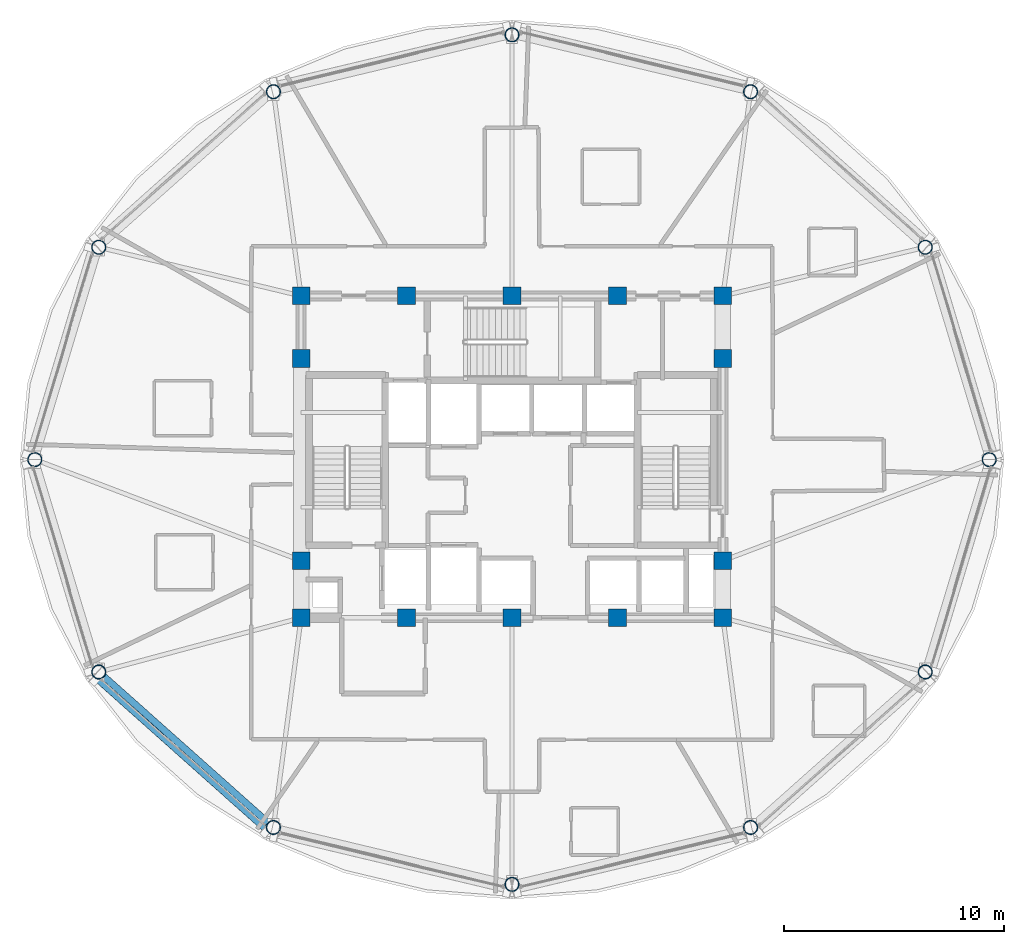
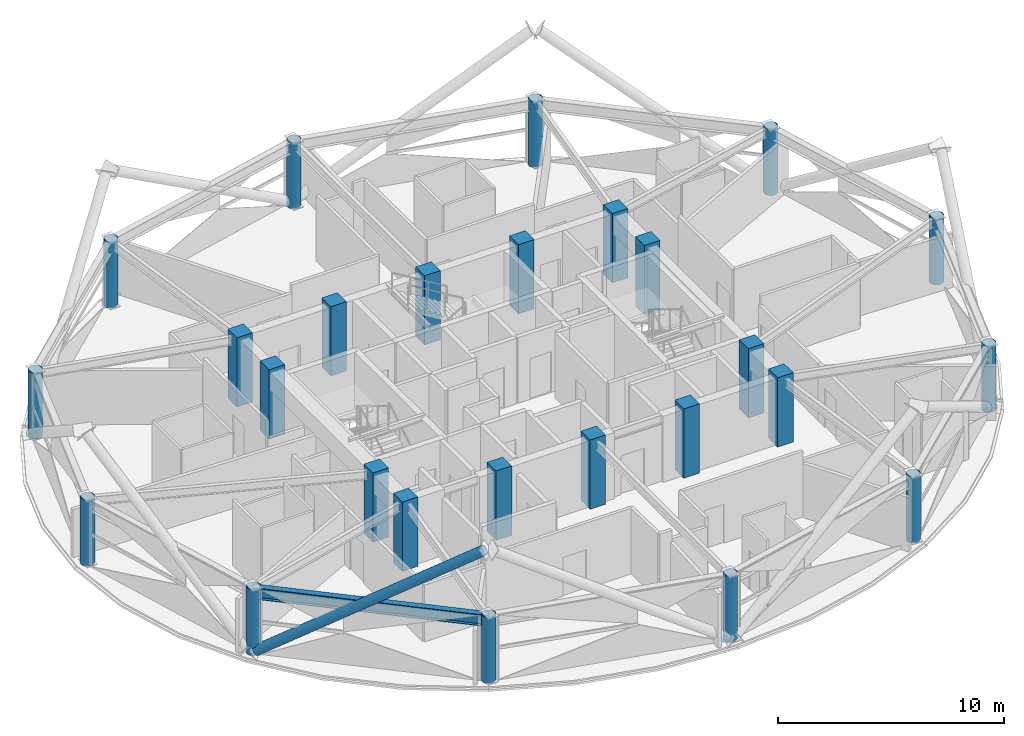
# One storey, part 1 of 29: 26 columns, 1 beam, 1 member.
"""IFC4 building model written with IfcOpenShell, lengths in metres."""

import ifcopenshell
import ifcopenshell.guid

model = None  # the IFC model being written
_history = None  # IfcOwnerHistory: only IFC2X3 demands one
_inside = {}  # id of a spatial element -> (the spatial element, [elements in it])
_under = {}  # id of a project, library or spatial element -> (it, [spatial elements below it])
_declared = {}  # id of a project -> (the project, [libraries it declares])
_typed = {}  # id of a type object -> (the type object, [elements of that type])
_made_of = {}  # id of a material, layer set ... -> (it, [elements and type objects made of it])


def new_model(schema):
    """Start an empty IFC model of exactly this schema.

    Asked for "IFC4X3", IfcOpenShell would pick the latest addendum, in which some entities
    have other attributes; the version numbers below select the first issue.
    IFC2X3 requires an IfcOwnerHistory on every rooted entity: one is made here for all.
    """
    global model, _history
    if schema == "IFC4X3":
        model = ifcopenshell.file(schema_version=(4, 3, 0, 0))
    else:
        model = ifcopenshell.file(schema=schema)
    _inside.clear()
    _under.clear()
    _declared.clear()
    _typed.clear()
    _made_of.clear()
    _history = None
    if model.schema == "IFC2X3":
        org = make("IfcOrganization", Name="unknown")
        user = make(
            "IfcPersonAndOrganization",
            ThePerson=make("IfcPerson", FamilyName="unknown"),
            TheOrganization=org,
        )
        app = make(
            "IfcApplication",
            ApplicationDeveloper=org,
            Version="unknown",
            ApplicationFullName="unknown",
            ApplicationIdentifier="unknown",
        )
        _history = make(
            "IfcOwnerHistory",
            OwningUser=user,
            OwningApplication=app,
            ChangeAction="ADDED",
            CreationDate=0,
        )
    return model


def make(cls, **values):
    """One entity of the class cls with the attributes given. An attribute that is None is left unset."""
    return model.create_entity(
        cls, **{name: value for name, value in values.items() if value is not None}
    )


def rooted(cls, **values):
    """An entity with a GlobalId (a new one), such as an element, a storey or a relation."""
    return make(cls, GlobalId=ifcopenshell.guid.new(), OwnerHistory=_history, **values)


def si_unit(unit_type, name, prefix=None):
    """IfcSIUnit, for example si_unit("LENGTHUNIT", "METRE", prefix="MILLI")."""
    return make("IfcSIUnit", UnitType=unit_type, Prefix=prefix, Name=name)


def assignment(units):
    """IfcUnitAssignment: the units of a project."""
    return None if units is None else make("IfcUnitAssignment", Units=units)


def point(xyz):
    """IfcCartesianPoint."""
    return None if xyz is None else make("IfcCartesianPoint", Coordinates=xyz)


def direction(xyz):
    """IfcDirection."""
    return None if xyz is None else make("IfcDirection", DirectionRatios=xyz)


def frame(location, z_axis=None, x_axis=None):
    """IfcAxis2Placement3D, a coordinate frame: its origin and axes. An axis left out is left unset."""
    return make(
        "IfcAxis2Placement3D",
        Location=point(location),
        Axis=direction(z_axis),
        RefDirection=direction(x_axis),
    )


def frame_2d(location, x_axis=None):
    """IfcAxis2Placement2D, a coordinate frame in the plane: its origin and x axis."""
    return make(
        "IfcAxis2Placement2D", Location=point(location), RefDirection=direction(x_axis)
    )


def origin():
    """The frame at (0, 0, 0) with its axes left unset."""
    return frame((0.0, 0.0, 0.0))


def origin_2d():
    """The frame at (0, 0) in the plane with its x axis left unset."""
    return frame_2d((0.0, 0.0))


def place(relative_to, where):
    """IfcLocalPlacement: puts the frame where relative to a parent placement (None: the world)."""
    return make(
        "IfcLocalPlacement", PlacementRelTo=relative_to, RelativePlacement=where
    )


def context(
    kind, dimensions, precision=None, world=None, true_north=None, identifier=None
):
    """IfcGeometricRepresentationContext, for example the 3D "Model" context."""
    return make(
        "IfcGeometricRepresentationContext",
        ContextIdentifier=identifier,
        ContextType=kind,
        CoordinateSpaceDimension=dimensions,
        Precision=precision,
        WorldCoordinateSystem=world,
        TrueNorth=true_north,
    )


def subcontext(parent, identifier, kind, view, scale=None):
    """IfcGeometricRepresentationSubContext, for example "Body" below "Model"."""
    return make(
        "IfcGeometricRepresentationSubContext",
        ContextIdentifier=identifier,
        ContextType=kind,
        ParentContext=parent,
        TargetScale=scale,
        TargetView=view,
    )


def project(units=None, contexts=None):
    """IfcProject with its units and contexts."""
    return rooted(
        "IfcProject",
        Name="project",
        RepresentationContexts=contexts,
        UnitsInContext=assignment(units),
    )


def spatial(cls, under=None, at=None, **own):
    """A site, building, storey or space (cls), placed at a placement, below another one or the project."""
    s = rooted(cls, ObjectPlacement=at, **own)
    if under is not None:
        _under.setdefault(under.id(), (under, []))[1].append(s)
    return s


def profile(cls, at=None, kind="AREA", **sizes):
    """A parametric profile (cls). Its sizes go by their IFC names, for example OverallWidth=200.0."""
    return make(cls, ProfileType=kind, Position=at, **sizes)


def rectangle(**sizes):
    """IfcRectangleProfileDef."""
    return profile("IfcRectangleProfileDef", **sizes)


def hollow_circle(**sizes):
    """IfcCircleHollowProfileDef."""
    return profile("IfcCircleHollowProfileDef", **sizes)


def i_section(**sizes):
    """IfcIShapeProfileDef."""
    return profile("IfcIShapeProfileDef", **sizes)


def extrude(swept, where, along, depth):
    """IfcExtrudedAreaSolid: the profile swept, set in the frame where, extruded along a direction by depth."""
    return make(
        "IfcExtrudedAreaSolid",
        SweptArea=swept,
        Position=where,
        ExtrudedDirection=direction(along),
        Depth=depth,
    )


def shape(context_of_items, identifier, shape_type, items):
    """IfcShapeRepresentation: the items that make up one representation, for example the "Body"."""
    return make(
        "IfcShapeRepresentation",
        ContextOfItems=context_of_items,
        RepresentationIdentifier=identifier,
        RepresentationType=shape_type,
        Items=items,
    )


def material(Name=None, Category=None):
    """IfcMaterial."""
    return make("IfcMaterial", Name=Name, Category=Category)


def material_profile(
    of_material, cross_section, Name=None, Category=None, Priority=None
):
    """IfcMaterialProfile: a cross section and its material."""
    return make(
        "IfcMaterialProfile",
        Name=Name,
        Material=of_material,
        Profile=cross_section,
        Priority=Priority,
        Category=Category,
    )


def profile_set(profiles, Name=None, composite=None):
    """IfcMaterialProfileSet."""
    return make(
        "IfcMaterialProfileSet",
        Name=Name,
        MaterialProfiles=profiles,
        CompositeProfile=composite,
    )


def made_of(thing, what):
    """Note that an element or type object is made of a material, layer set ...; save() writes the relation."""
    if what is not None:
        _made_of.setdefault(what.id(), (what, []))[1].append(thing)
    return thing


def type_object(cls, material=None, **own):
    """A type object (cls), such as IfcWallType, which elements share."""
    return made_of(rooted(cls, **own), material)


def element(
    cls,
    number,
    at=None,
    inside=None,
    cuts=None,
    type_object=None,
    material=None,
    context=None,
    identifier="Body",
    shape_type=None,
    held_by="IfcProductDefinitionShape",
    body=None,
    shapes=None,
    **own,
):
    """One element of the class cls, such as IfcWall. Its Tag is "e" and its number.

    at: its placement. inside: the storey or other place that contains it. cuts: it is an
    opening in that element (IfcRelVoidsElement). A single representation is given by context,
    identifier, shape_type and body (its items); several are given by shapes. held_by: the class
    of the entity that holds the representations. save() writes the other relations.
    """
    e = rooted(cls, Tag="e%d" % number, ObjectPlacement=at, **own)
    if body is not None:
        shapes = [shape(context, identifier, shape_type, body)]
    if shapes is not None:
        e.Representation = make(held_by, Representations=shapes)
    if inside is not None:
        _inside.setdefault(inside.id(), (inside, []))[1].append(e)
    if cuts is not None:
        rooted(
            "IfcRelVoidsElement", RelatingBuildingElement=cuts, RelatedOpeningElement=e
        )
    if type_object is not None:
        _typed.setdefault(type_object.id(), (type_object, []))[1].append(e)
    return made_of(e, material)


def aggregate(whole, parts):
    """IfcRelAggregates: a whole, such as a stair, and the parts it consists of."""
    return rooted("IfcRelAggregates", RelatingObject=whole, RelatedObjects=parts)


def save(model, path):
    """Write the relations noted so far, then the file.

    IfcRelAggregates (storeys below a building ...), IfcRelContainedInSpatialStructure (elements
    in a storey), IfcRelDefinesByType, IfcRelAssociatesMaterial and IfcRelDeclares: one each for
    every whole, place, type object, material and project.
    """
    for whole, parts in _under.values():
        aggregate(whole, parts)
    for where, things in _inside.values():
        rooted(
            "IfcRelContainedInSpatialStructure",
            RelatedElements=things,
            RelatingStructure=where,
        )
    for kind, things in _typed.values():
        rooted("IfcRelDefinesByType", RelatedObjects=things, RelatingType=kind)
    for what, things in _made_of.values():
        rooted("IfcRelAssociatesMaterial", RelatedObjects=things, RelatingMaterial=what)
    for by, libraries in _declared.values():
        rooted("IfcRelDeclares", RelatingContext=by, RelatedDefinitions=libraries)
    model.write(path)


model = new_model("IFC4")

# Units and contexts
model_context = context("Model", 3, precision=1e-05, world=origin(), true_north=direction((0.0, 1.0)))
body_context = subcontext(model_context, "Body", "Model", "MODEL_VIEW")
ifc_project = project(units=[si_unit("LENGTHUNIT", "METRE"), si_unit("AREAUNIT", "SQUARE_METRE"), si_unit("VOLUMEUNIT", "CUBIC_METRE"), si_unit("PLANEANGLEUNIT", "RADIAN"), si_unit("MASSUNIT", "GRAM", prefix="KILO")], contexts=[model_context])

# Site, building, storey
site_placement = place(None, origin())
site = spatial("IfcSite", under=ifc_project, at=site_placement, CompositionType="ELEMENT")
building_placement = place(site_placement, origin())
building = spatial("IfcBuilding", under=site, at=building_placement, Name="Vantalir Tower", CompositionType="ELEMENT")
storey_placement = place(building_placement, frame((0.0, 0.0, 234.89990234375)))
storey = spatial("IfcBuildingStorey", under=building, at=storey_placement, Name="L59", CompositionType="ELEMENT", Elevation=234.89990234375)

# Columns
ifc_material_1 = material(Name="Concrete C50/60", Category="concrete")
ifc_material_profile_1 = material_profile(ifc_material_1, rectangle(XDim=0.800048828125, YDim=0.800048828125, at=origin_2d()), Name="Concrete C50/60")
ifc_profile_set_1 = profile_set([ifc_material_profile_1], Name="Concrete C50/60")
column_type_1 = type_object("IfcColumnType", Name="COL-CC-800", PredefinedType="COLUMN", material=ifc_profile_set_1)
for number, where, z_axis, x_axis, name in (
    (1, (21.89990234375, 17.800048828125, 0.0), (0.0, 0.0, 1.0), (1.0, 0.0, 0.0), "L59 Core Column CC01"),
    (2, (26.699951171875, 17.800048828125, 0.0), (0.0, 0.0, 1.0), (1.0, 0.0, 0.0), "L59 Core Column CC02"),
    (3, (31.5, 17.800048828125, 0.0), (0.0, 0.0, 1.0), (1.0, 0.0, 0.0), "L59 Core Column CC03"),
    (4, (36.300048828125, 17.800048828125, 0.0), (0.0, 0.0, 1.0), (1.0, 0.0, 0.0), "L59 Core Column CC04"),
    (5, (41.10009765625, 17.800048828125, 0.0), (0.0, 0.0, 1.0), (1.0, 0.0, 0.0), "L59 Core Column CC05"),
    (6, (21.89990234375, 20.39990234375, 0.0), (0.0, 0.0, 1.0), (1.0, 0.0, 0.0), "L59 Core Column CC06"),
    (7, (21.89990234375, 29.60009765625, 0.0), (0.0, 0.0, 1.0), (1.0, 0.0, 0.0), "L59 Core Column CC07"),
    (8, (41.10009765625, 20.39990234375, 0.0), (0.0, 0.0, 1.0), (1.0, 0.0, 0.0), "L59 Core Column CC08"),
    (9, (41.10009765625, 29.60009765625, 0.0), (0.0, 0.0, 1.0), (1.0, 0.0, 0.0), "L59 Core Column CC09"),
    (10, (21.89990234375, 32.449951171875, 0.0), (0.0, 0.0, 1.0), (1.0, 0.0, 0.0), "L59 Core Column CC10"),
    (11, (26.699951171875, 32.449951171875, 0.0), (0.0, 0.0, 1.0), (1.0, 0.0, 0.0), "L59 Core Column CC11"),
    (12, (31.5, 32.449951171875, 0.0), (0.0, 0.0, 1.0), (1.0, 0.0, 0.0), "L59 Core Column CC12"),
    (13, (36.300048828125, 32.449951171875, 0.0), (0.0, 0.0, 1.0), (1.0, 0.0, 0.0), "L59 Core Column CC13"),
    (14, (41.10009765625, 32.449951171875, 0.0), (0.0, 0.0, 1.0), (1.0, 0.0, 0.0), "L59 Core Column CC14"),
):
    element("IfcColumn", number, at=place(storey_placement, frame(where, z_axis=z_axis, x_axis=x_axis)), inside=storey, type_object=column_type_1, Name=name, PredefinedType="COLUMN", context=body_context, shape_type="SweptSolid", body=[
        extrude(rectangle(XDim=0.800048828125, YDim=0.800048828125, at=origin_2d()), origin(), (0.0, 0.0, 1.0), 3.75),
    ])
ifc_material_2 = material(Name="Steel S460", Category="steel")
ifc_material_profile_2 = material_profile(ifc_material_2, hollow_circle(Radius=0.324951171875, WallThickness=0.030029296875, at=origin_2d()), Name="Steel S460")
ifc_profile_set_2 = profile_set([ifc_material_profile_2], Name="Steel S460")
column_type_2 = type_object("IfcColumnType", Name="COL-RC-650", PredefinedType="COLUMN", material=ifc_profile_set_2)
for number, where, z_axis, x_axis, name in (
    (15, (53.218017578125, 25.0, 0.0), (0.0, 0.0, 1.0), (1.0, 0.0, 0.0), "L59 Perimeter Ring Column RC01"),
    (16, (50.30810546875, 34.666015625, 0.0), (0.0, 0.0, 1.0), (1.0, 0.0, 0.0), "L59 Perimeter Ring Column RC02"),
    (17, (42.35888671875, 41.742919921875, 0.0), (0.0, 0.0, 1.0), (1.0, 0.0, 0.0), "L59 Perimeter Ring Column RC03"),
    (18, (31.5, 44.3330078125, 0.0), (0.0, 0.0, 1.0), (1.0, 0.0, 0.0), "L59 Perimeter Ring Column RC04"),
    (19, (20.64111328125, 41.742919921875, 0.0), (0.0, 0.0, 1.0), (1.0, 0.0, 0.0), "L59 Perimeter Ring Column RC05"),
    (20, (12.69189453125, 34.666015625, 0.0), (0.0, 0.0, 1.0), (1.0, 0.0, 0.0), "L59 Perimeter Ring Column RC06"),
    (21, (9.781982421875, 25.0, 0.0), (0.0, 0.0, 1.0), (1.0, 0.0, 0.0), "L59 Perimeter Ring Column RC07"),
    (22, (12.69189453125, 15.3330078125, 0.0), (0.0, 0.0, 1.0), (1.0, 0.0, 0.0), "L59 Perimeter Ring Column RC08"),
    (23, (20.64111328125, 8.257080078125, 0.0), (0.0, 0.0, 1.0), (1.0, 0.0, 0.0), "L59 Perimeter Ring Column RC09"),
    (24, (31.5, 5.6669921875, 0.0), (0.0, 0.0, 1.0), (1.0, 0.0, 0.0), "L59 Perimeter Ring Column RC10"),
    (25, (42.35888671875, 8.257080078125, 0.0), (0.0, 0.0, 1.0), (1.0, 0.0, 0.0), "L59 Perimeter Ring Column RC11"),
    (26, (50.30810546875, 15.3330078125, 0.0), (0.0, 0.0, 1.0), (1.0, 0.0, 0.0), "L59 Perimeter Ring Column RC12"),
):
    element("IfcColumn", number, at=place(storey_placement, frame(where, z_axis=z_axis, x_axis=x_axis)), inside=storey, type_object=column_type_2, Name=name, PredefinedType="COLUMN", context=body_context, shape_type="SweptSolid", body=[
        extrude(hollow_circle(Radius=0.324951171875, WallThickness=0.030029296875, at=origin_2d()), origin(), (0.0, 0.0, 1.0), 3.570068359375),
    ])

# Beam
ifc_material_profile_3 = material_profile(ifc_material_2, i_section(OverallWidth=0.306884765625, OverallDepth=0.6201171875, WebThickness=0.01416015625, FlangeThickness=0.023681640625, at=origin_2d()), Name="Steel S460")
ifc_profile_set_3 = profile_set([ifc_material_profile_3], Name="Steel S460")
beam_type = type_object("IfcBeamType", Name="BM-RG-610x305", PredefinedType="USERDEFINED", material=ifc_profile_set_3)
beam_placement = place(storey_placement, frame((12.69189453125, 15.3330078125, 3.260009765625), z_axis=(0.746944629215, -0.664886246577, 0.0), x_axis=(0.664886246577, 0.746944629215, 0.0)))
element("IfcBeam", 27, at=beam_placement, inside=storey, type_object=beam_type, Name="L59 Circumferential Ring Girder 08", ObjectType="GIRDER", PredefinedType="USERDEFINED", context=body_context, shape_type="SweptSolid", body=[
    extrude(i_section(OverallWidth=0.306884765625, OverallDepth=0.6201171875, WebThickness=0.01416015625, FlangeThickness=0.023681640625, at=origin_2d()), origin(), (0.0, 0.0, 1.0), 10.642333984375),
])

# Member
ifc_material_profile_4 = material_profile(ifc_material_2, hollow_circle(Radius=0.25, WallThickness=0.031982421875, at=origin_2d()), Name="Steel S460")
ifc_profile_set_4 = profile_set([ifc_material_profile_4], Name="Steel S460")
member_type = type_object("IfcMemberType", Name="MEM-DB-500x32", PredefinedType="BRACE", material=ifc_profile_set_4)
member_placement = place(storey_placement, frame((12.6640625, 15.115966796875, 0.2021484375), z_axis=(0.621209164896, -0.553513168835, 0.554727271166), x_axis=(0.665254469402, 0.746616696131, 0.0)))
element("IfcMember", 28, at=member_placement, inside=storey, type_object=member_type, Name="L59 Perimeter S460 Diagrid Brace R22L", PredefinedType="BRACE", context=body_context, shape_type="SweptSolid", body=[
    extrude(hollow_circle(Radius=0.25, WallThickness=0.031982421875, at=origin_2d()), origin(), (0.0, 0.0, 1.0), 12.467529296875),
])

save(model, "model.ifc")
